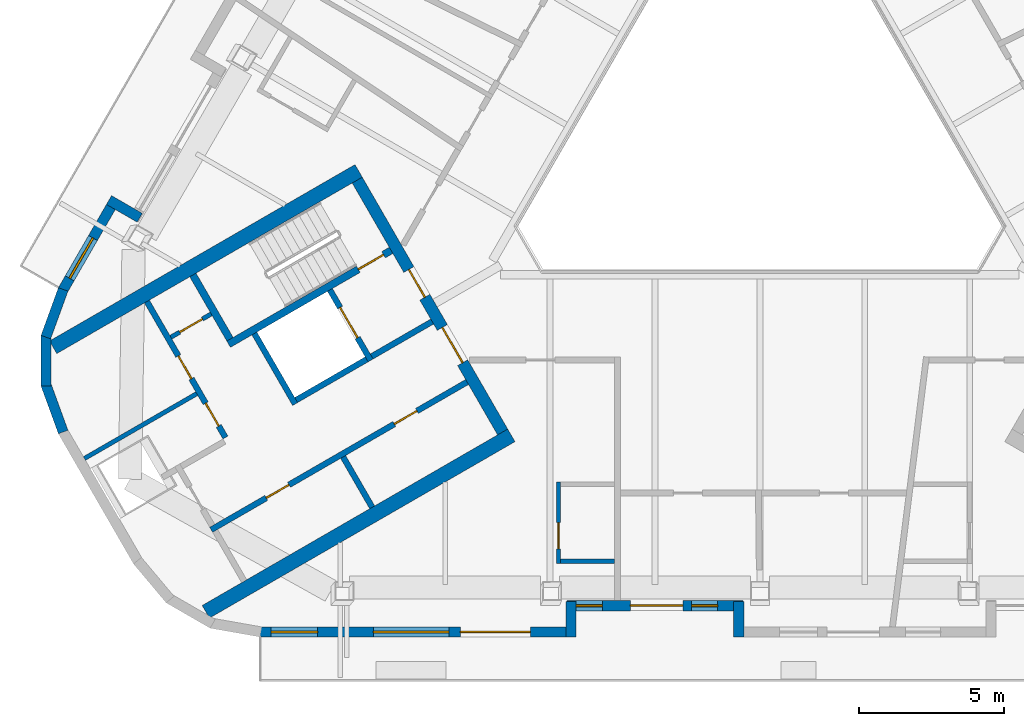
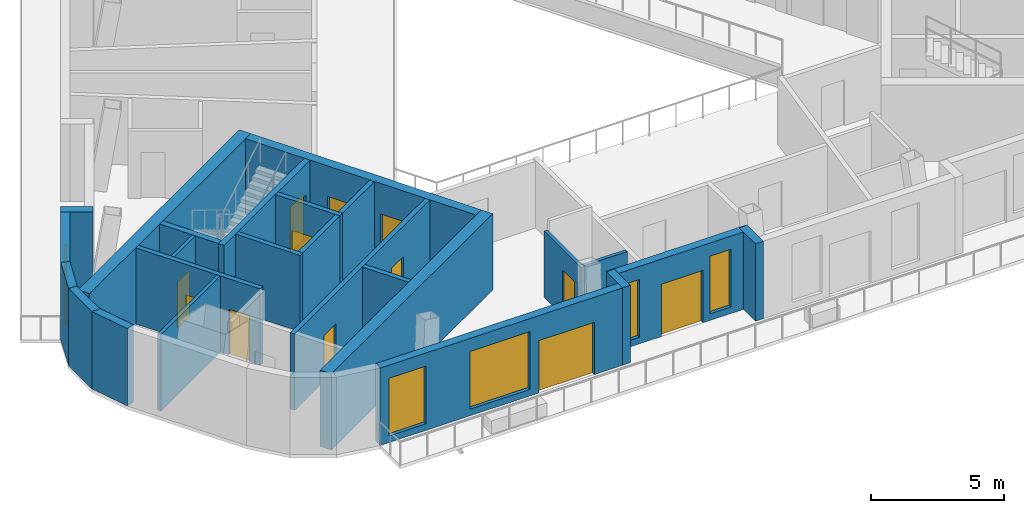
# One storey, part 3 of 13: 25 walls, 12 doors, 5 windows, 17 openings.
"""IFC4 building model written with IfcOpenShell, lengths in metres."""

import ifcopenshell
import ifcopenshell.guid

model = None  # the IFC model being written
_history = None  # IfcOwnerHistory: only IFC2X3 demands one
_inside = {}  # id of a spatial element -> (the spatial element, [elements in it])
_under = {}  # id of a project, library or spatial element -> (it, [spatial elements below it])
_declared = {}  # id of a project -> (the project, [libraries it declares])
_typed = {}  # id of a type object -> (the type object, [elements of that type])
_made_of = {}  # id of a material, layer set ... -> (it, [elements and type objects made of it])


def new_model(schema):
    """Start an empty IFC model of exactly this schema.

    Asked for "IFC4X3", IfcOpenShell would pick the latest addendum, in which some entities
    have other attributes; the version numbers below select the first issue.
    IFC2X3 requires an IfcOwnerHistory on every rooted entity: one is made here for all.
    """
    global model, _history
    if schema == "IFC4X3":
        model = ifcopenshell.file(schema_version=(4, 3, 0, 0))
    else:
        model = ifcopenshell.file(schema=schema)
    _inside.clear()
    _under.clear()
    _declared.clear()
    _typed.clear()
    _made_of.clear()
    _history = None
    if model.schema == "IFC2X3":
        org = make("IfcOrganization", Name="unknown")
        user = make(
            "IfcPersonAndOrganization",
            ThePerson=make("IfcPerson", FamilyName="unknown"),
            TheOrganization=org,
        )
        app = make(
            "IfcApplication",
            ApplicationDeveloper=org,
            Version="unknown",
            ApplicationFullName="unknown",
            ApplicationIdentifier="unknown",
        )
        _history = make(
            "IfcOwnerHistory",
            OwningUser=user,
            OwningApplication=app,
            ChangeAction="ADDED",
            CreationDate=0,
        )
    return model


def make(cls, **values):
    """One entity of the class cls with the attributes given. An attribute that is None is left unset."""
    return model.create_entity(
        cls, **{name: value for name, value in values.items() if value is not None}
    )


def rooted(cls, **values):
    """An entity with a GlobalId (a new one), such as an element, a storey or a relation."""
    return make(cls, GlobalId=ifcopenshell.guid.new(), OwnerHistory=_history, **values)


def si_unit(unit_type, name, prefix=None):
    """IfcSIUnit, for example si_unit("LENGTHUNIT", "METRE", prefix="MILLI")."""
    return make("IfcSIUnit", UnitType=unit_type, Prefix=prefix, Name=name)


def assignment(units):
    """IfcUnitAssignment: the units of a project."""
    return None if units is None else make("IfcUnitAssignment", Units=units)


def point(xyz):
    """IfcCartesianPoint."""
    return None if xyz is None else make("IfcCartesianPoint", Coordinates=xyz)


def direction(xyz):
    """IfcDirection."""
    return None if xyz is None else make("IfcDirection", DirectionRatios=xyz)


def frame(location, z_axis=None, x_axis=None):
    """IfcAxis2Placement3D, a coordinate frame: its origin and axes. An axis left out is left unset."""
    return make(
        "IfcAxis2Placement3D",
        Location=point(location),
        Axis=direction(z_axis),
        RefDirection=direction(x_axis),
    )


def frame_2d(location, x_axis=None):
    """IfcAxis2Placement2D, a coordinate frame in the plane: its origin and x axis."""
    return make(
        "IfcAxis2Placement2D", Location=point(location), RefDirection=direction(x_axis)
    )


def origin():
    """The frame at (0, 0, 0) with its axes left unset."""
    return frame((0.0, 0.0, 0.0))


def place(relative_to, where):
    """IfcLocalPlacement: puts the frame where relative to a parent placement (None: the world)."""
    return make(
        "IfcLocalPlacement", PlacementRelTo=relative_to, RelativePlacement=where
    )


def context(
    kind, dimensions, precision=None, world=None, true_north=None, identifier=None
):
    """IfcGeometricRepresentationContext, for example the 3D "Model" context."""
    return make(
        "IfcGeometricRepresentationContext",
        ContextIdentifier=identifier,
        ContextType=kind,
        CoordinateSpaceDimension=dimensions,
        Precision=precision,
        WorldCoordinateSystem=world,
        TrueNorth=true_north,
    )


def subcontext(parent, identifier, kind, view, scale=None):
    """IfcGeometricRepresentationSubContext, for example "Body" below "Model"."""
    return make(
        "IfcGeometricRepresentationSubContext",
        ContextIdentifier=identifier,
        ContextType=kind,
        ParentContext=parent,
        TargetScale=scale,
        TargetView=view,
    )


def project(units=None, contexts=None):
    """IfcProject with its units and contexts."""
    return rooted(
        "IfcProject",
        Name="project",
        RepresentationContexts=contexts,
        UnitsInContext=assignment(units),
    )


def spatial(cls, under=None, at=None, **own):
    """A site, building, storey or space (cls), placed at a placement, below another one or the project."""
    s = rooted(cls, ObjectPlacement=at, **own)
    if under is not None:
        _under.setdefault(under.id(), (under, []))[1].append(s)
    return s


def profile(cls, at=None, kind="AREA", **sizes):
    """A parametric profile (cls). Its sizes go by their IFC names, for example OverallWidth=200.0."""
    return make(cls, ProfileType=kind, Position=at, **sizes)


def rectangle(**sizes):
    """IfcRectangleProfileDef."""
    return profile("IfcRectangleProfileDef", **sizes)


def extrude(swept, where, along, depth):
    """IfcExtrudedAreaSolid: the profile swept, set in the frame where, extruded along a direction by depth."""
    return make(
        "IfcExtrudedAreaSolid",
        SweptArea=swept,
        Position=where,
        ExtrudedDirection=direction(along),
        Depth=depth,
    )


def shape(context_of_items, identifier, shape_type, items):
    """IfcShapeRepresentation: the items that make up one representation, for example the "Body"."""
    return make(
        "IfcShapeRepresentation",
        ContextOfItems=context_of_items,
        RepresentationIdentifier=identifier,
        RepresentationType=shape_type,
        Items=items,
    )


def material(Name=None, Category=None):
    """IfcMaterial."""
    return make("IfcMaterial", Name=Name, Category=Category)


def layer(
    of_material, thickness, ventilated=None, Name=None, Category=None, Priority=None
):
    """IfcMaterialLayer: one layer of a wall or slab, of a material (None: an air gap)."""
    return make(
        "IfcMaterialLayer",
        Material=of_material,
        LayerThickness=thickness,
        IsVentilated=ventilated,
        Name=Name,
        Category=Category,
        Priority=Priority,
    )


def layer_set(layers, Name=None):
    """IfcMaterialLayerSet."""
    return make("IfcMaterialLayerSet", MaterialLayers=layers, LayerSetName=Name)


def made_of(thing, what):
    """Note that an element or type object is made of a material, layer set ...; save() writes the relation."""
    if what is not None:
        _made_of.setdefault(what.id(), (what, []))[1].append(thing)
    return thing


def type_object(cls, material=None, **own):
    """A type object (cls), such as IfcWallType, which elements share."""
    return made_of(rooted(cls, **own), material)


def element(
    cls,
    number,
    at=None,
    inside=None,
    cuts=None,
    type_object=None,
    material=None,
    context=None,
    identifier="Body",
    shape_type=None,
    held_by="IfcProductDefinitionShape",
    body=None,
    shapes=None,
    **own,
):
    """One element of the class cls, such as IfcWall. Its Tag is "e" and its number.

    at: its placement. inside: the storey or other place that contains it. cuts: it is an
    opening in that element (IfcRelVoidsElement). A single representation is given by context,
    identifier, shape_type and body (its items); several are given by shapes. held_by: the class
    of the entity that holds the representations. save() writes the other relations.
    """
    e = rooted(cls, Tag="e%d" % number, ObjectPlacement=at, **own)
    if body is not None:
        shapes = [shape(context, identifier, shape_type, body)]
    if shapes is not None:
        e.Representation = make(held_by, Representations=shapes)
    if inside is not None:
        _inside.setdefault(inside.id(), (inside, []))[1].append(e)
    if cuts is not None:
        rooted(
            "IfcRelVoidsElement", RelatingBuildingElement=cuts, RelatedOpeningElement=e
        )
    if type_object is not None:
        _typed.setdefault(type_object.id(), (type_object, []))[1].append(e)
    return made_of(e, material)


def fill(opening, filler):
    """IfcRelFillsElement: the door or window that sits in an opening."""
    return rooted(
        "IfcRelFillsElement",
        RelatingOpeningElement=opening,
        RelatedBuildingElement=filler,
    )


def aggregate(whole, parts):
    """IfcRelAggregates: a whole, such as a stair, and the parts it consists of."""
    return rooted("IfcRelAggregates", RelatingObject=whole, RelatedObjects=parts)


def save(model, path):
    """Write the relations noted so far, then the file.

    IfcRelAggregates (storeys below a building ...), IfcRelContainedInSpatialStructure (elements
    in a storey), IfcRelDefinesByType, IfcRelAssociatesMaterial and IfcRelDeclares: one each for
    every whole, place, type object, material and project.
    """
    for whole, parts in _under.values():
        aggregate(whole, parts)
    for where, things in _inside.values():
        rooted(
            "IfcRelContainedInSpatialStructure",
            RelatedElements=things,
            RelatingStructure=where,
        )
    for kind, things in _typed.values():
        rooted("IfcRelDefinesByType", RelatedObjects=things, RelatingType=kind)
    for what, things in _made_of.values():
        rooted("IfcRelAssociatesMaterial", RelatedObjects=things, RelatingMaterial=what)
    for by, libraries in _declared.values():
        rooted("IfcRelDeclares", RelatingContext=by, RelatedDefinitions=libraries)
    model.write(path)


model = new_model("IFC4")

# Units and contexts
model_context = context("Model", 3, precision=1e-05, world=origin(), true_north=direction((0.0, 1.0)))
body_context = subcontext(model_context, "Body", "Model", "MODEL_VIEW")
ifc_project = project(units=[si_unit("LENGTHUNIT", "METRE"), si_unit("AREAUNIT", "SQUARE_METRE"), si_unit("VOLUMEUNIT", "CUBIC_METRE"), si_unit("PLANEANGLEUNIT", "RADIAN"), si_unit("MASSUNIT", "GRAM", prefix="KILO")], contexts=[model_context])

# Site, building, storey
site_placement = place(None, origin())
site = spatial("IfcSite", under=ifc_project, at=site_placement, CompositionType="ELEMENT")
building_placement = place(site_placement, origin())
building = spatial("IfcBuilding", under=site, at=building_placement, Name="Apuvela Tower Hotel", CompositionType="ELEMENT")
storey_placement = place(building_placement, frame((0.0, 0.0, 287.39990234375)))
storey = spatial("IfcBuildingStorey", under=building, at=storey_placement, Name="L71", CompositionType="ELEMENT", Elevation=287.39990234375)

# Wall, openings, doors
ifc_material_1 = material(Name="Concrete C50/60", Category="concrete")
ifc_layer_1 = layer(ifc_material_1, 0.39990234375)
ifc_layer_set_1 = layer_set([ifc_layer_1], Name="COR-WALL-CORE-400")
wall_type_1 = type_object("IfcWallType", Name="COR-WALL-CORE-400", PredefinedType="SHEAR", material=ifc_layer_set_1)
wall_1_placement = place(storey_placement, frame((-13.844970703125, -2.219970703125, 0.0), z_axis=(0.0, 0.0, 1.0), x_axis=(0.500004234368, -0.866022959057, 0.0)))
wall_1 = element("IfcWall", 1, at=wall_1_placement, inside=storey, type_object=wall_type_1, Name="Core wall SW", PredefinedType="SHEAR", context=body_context, shape_type="SweptSolid", body=[
    extrude(rectangle(XDim=10.0, YDim=0.39990234375, at=frame_2d((5.0, 0.0))), origin(), (0.0, 0.0, 1.0), 3.5),
])
opening_1_placement = place(wall_1_placement, frame((3.550048828125, 0.0, 0.0)))
opening_1 = element("IfcOpeningElement", 2, at=opening_1_placement, cuts=wall_1, Name="Opening W-FD", PredefinedType="OPENING", context=body_context, shape_type="SweptSolid", body=[
    extrude(rectangle(XDim=1.10009765625, YDim=2.10009765625, at=frame_2d((0.550048828125, 1.050048828125))), frame((0.0, 0.2099609375, 0.0), z_axis=(0.0, -1.0, 0.0), x_axis=(1.0, 0.0, 0.0)), (0.0, 0.0, 1.0), 0.419921875),
])
opening_2_placement = place(wall_1_placement, frame((5.85009765625, 0.0, 0.0)))
opening_2 = element("IfcOpeningElement", 3, at=opening_2_placement, cuts=wall_1, Name="Opening W-GD", PredefinedType="OPENING", context=body_context, shape_type="SweptSolid", body=[
    extrude(rectangle(XDim=1.39990234375, YDim=2.10009765625, at=frame_2d((0.699951171875, 1.050048828125))), frame((0.0, 0.2099609375, 0.0), z_axis=(0.0, -1.0, 0.0), x_axis=(1.0, 0.0, 0.0)), (0.0, 0.0, 1.0), 0.419921875),
])
ifc_material_2 = material(Name="Steel fire door, powder coated", Category="steel")
door_type_1 = type_object("IfcDoorType", Name="COR-FD-1100", OperationType="NOTDEFINED", PredefinedType="DOOR", material=ifc_material_2)
door_1_placement = place(opening_1_placement, frame((1.10009765625, 0.0, 0.0), z_axis=(0.0, 0.0, 1.0), x_axis=(-1.0, 0.0, 0.0)))
door_1 = element("IfcDoor", 4, at=door_1_placement, inside=storey, type_object=door_type_1, Name="Firefighting lobby door W-FD", OperationType="SINGLE_SWING_LEFT", OverallHeight=2.10009765625, OverallWidth=1.10009765625, PredefinedType="DOOR", context=body_context, shape_type="SweptSolid", body=[
    extrude(rectangle(XDim=1.10009765625, YDim=2.10009765625, at=frame_2d((0.550048828125, 1.050048828125))), frame((0.0, 0.02490234375, 0.0), z_axis=(0.0, -1.0, 0.0), x_axis=(1.0, 0.0, 0.0)), (0.0, 0.0, 1.0), 0.050048828125),
])
fill(opening_1, door_1)
ifc_material_3 = material(Name="Glazed steel fire door", Category="steel")
door_type_2 = type_object("IfcDoorType", Name="COR-GD-1400", OperationType="DOUBLE_DOOR_SINGLE_SWING", PredefinedType="DOOR", material=ifc_material_3)
door_2_placement = place(opening_2_placement, frame((1.39990234375, 0.0, 0.0), z_axis=(0.0, 0.0, 1.0), x_axis=(-1.0, 0.0, 0.0)))
door_2 = element("IfcDoor", 5, at=door_2_placement, inside=storey, type_object=door_type_2, Name="Lift lobby door W-GD", OperationType="DOUBLE_DOOR_SINGLE_SWING", OverallHeight=2.10009765625, OverallWidth=1.39990234375, PredefinedType="DOOR", context=body_context, shape_type="SweptSolid", body=[
    extrude(rectangle(XDim=1.39990234375, YDim=2.10009765625, at=frame_2d((0.699951171875, 1.050048828125))), frame((0.0, 0.02490234375, 0.0), z_axis=(0.0, -1.0, 0.0), x_axis=(1.0, 0.0, 0.0)), (0.0, 0.0, 1.0), 0.050048828125),
])
fill(opening_2, door_2)

# Walls
ifc_layer_2 = layer(ifc_material_1, 0.5)
ifc_layer_set_2 = layer_set([ifc_layer_2], Name="COR-WALL-CORE-500")
wall_type_2 = type_object("IfcWallType", Name="COR-WALL-CORE-500", PredefinedType="SHEAR", material=ifc_layer_set_2)
for number, where, z_axis, x_axis, name in (
    (6, (-13.796630859375, -1.9033203125, 0.0), (0.0, 0.0, 1.0), (-0.866024688907, -0.500001238203, 0.0), "Core wall SW"),
    (7, (-8.546630859375, -10.99658203125, 0.0), (0.0, 0.0, 1.0), (-0.866024688907, -0.500001238203, 0.0), "Core wall SW"),
):
    element("IfcWall", number, at=place(storey_placement, frame(where, z_axis=z_axis, x_axis=x_axis)), inside=storey, type_object=wall_type_2, Name=name, PredefinedType="SHEAR", context=body_context, shape_type="SweptSolid", body=[
        extrude(rectangle(XDim=12.12890625, YDim=0.5, at=frame_2d((6.064453125, 0.0))), origin(), (0.0, 0.0, 1.0), 3.5),
    ])

# Wall, opening, door
ifc_material_4 = material(Name="Blockwork 150 mm plastered", Category="masonry")
ifc_layer_3 = layer(ifc_material_4, 0.14990234375)
ifc_layer_set_3 = layer_set([ifc_layer_3], Name="COR-WALL-PART-150")
wall_type_3 = type_object("IfcWallType", Name="COR-WALL-PART-150", PredefinedType="PARTITIONING", material=ifc_layer_set_3)
wall_2_placement = place(storey_placement, frame((-18.866455078125, -6.822265625, 0.0), z_axis=(0.0, 0.0, 1.0), x_axis=(-0.866028054938, -0.499995408039, 0.0)))
wall_2 = element("IfcWall", 8, at=wall_2_placement, inside=storey, type_object=wall_type_3, Name="Partition SW", PredefinedType="PARTITIONING", context=body_context, shape_type="SweptSolid", body=[
    extrude(rectangle(XDim=1.60009765625, YDim=0.14990234375, at=frame_2d((0.800048828125, 0.0))), origin(), (0.0, 0.0, 1.0), 3.5),
])
opening_3_placement = place(wall_2_placement, frame((0.35009765625, 0.0, 0.0)))
opening_3 = element("IfcOpeningElement", 9, at=opening_3_placement, cuts=wall_2, Name="Opening W-RD", PredefinedType="OPENING", context=body_context, shape_type="SweptSolid", body=[
    extrude(rectangle(XDim=0.89990234375, YDim=2.10009765625, at=frame_2d((0.449951171875, 1.050048828125))), frame((0.0, 0.0849609375, 0.0), z_axis=(0.0, -1.0, 0.0), x_axis=(1.0, 0.0, 0.0)), (0.0, 0.0, 1.0), 0.169921875),
])
ifc_material_5 = material(Name="Steel access door, powder coated", Category="steel")
door_type_3 = type_object("IfcDoorType", Name="COR-RD-900", OperationType="NOTDEFINED", PredefinedType="DOOR", material=ifc_material_5)
door_3_placement = place(opening_3_placement, frame((0.89990234375, 0.0, 0.0), z_axis=(0.0, 0.0, 1.0), x_axis=(-1.0, 0.0, 0.0)))
door_3 = element("IfcDoor", 10, at=door_3_placement, inside=storey, type_object=door_type_3, Name="Riser door W-RD", OperationType="SINGLE_SWING_RIGHT", OverallHeight=2.10009765625, OverallWidth=0.89990234375, PredefinedType="DOOR", context=body_context, shape_type="SweptSolid", body=[
    extrude(rectangle(XDim=0.89990234375, YDim=2.10009765625, at=frame_2d((0.449951171875, 1.050048828125))), frame((0.0, 0.02490234375, 0.0), z_axis=(0.0, -1.0, 0.0), x_axis=(1.0, 0.0, 0.0)), (0.0, 0.0, 1.0), 0.050048828125),
])
fill(opening_3, door_3)

# Wall
wall_3_placement = place(storey_placement, frame((-19.36279296875, -9.5625, 0.0), z_axis=(0.0, 0.0, 1.0), x_axis=(-0.866024199568, -0.500002085759, 0.0)))
element("IfcWall", 11, at=wall_3_placement, inside=storey, type_object=wall_type_3, Name="Partition SW", PredefinedType="PARTITIONING", context=body_context, shape_type="SweptSolid", body=[
    extrude(rectangle(XDim=4.458984375, YDim=0.14990234375, at=frame_2d((2.2294921875, 0.0))), origin(), (0.0, 0.0, 1.0), 3.5),
])

# Wall, openings, doors
ifc_material_6 = material(Name="Blockwork 200 mm plastered", Category="masonry")
ifc_layer_4 = layer(ifc_material_6, 0.199951171875)
ifc_layer_set_4 = layer_set([ifc_layer_4], Name="COR-WALL-PART-200")
wall_type_4 = type_object("IfcWallType", Name="COR-WALL-PART-200", PredefinedType="PARTITIONING", material=ifc_layer_set_4)
wall_4_placement = place(storey_placement, frame((-21.076171875, -6.39501953125, 0.0), z_axis=(0.0, 0.0, 1.0), x_axis=(0.50001468107, -0.866016927499, 0.0)))
wall_4 = element("IfcWall", 12, at=wall_4_placement, inside=storey, type_object=wall_type_4, Name="Partition SW", PredefinedType="PARTITIONING", context=body_context, shape_type="SweptSolid", body=[
    extrude(rectangle(XDim=5.399658203125, YDim=0.199951171875, at=frame_2d((2.69970703125, 0.0))), origin(), (0.0, 0.0, 1.0), 3.5),
])
opening_4_placement = place(wall_4_placement, frame((2.16259765625, 0.0, 0.0)))
opening_4 = element("IfcOpeningElement", 13, at=opening_4_placement, cuts=wall_4, Name="Opening W-RS1", PredefinedType="OPENING", context=body_context, shape_type="SweptSolid", body=[
    extrude(rectangle(XDim=0.89990234375, YDim=2.10009765625, at=frame_2d((0.449951171875, 1.050048828125))), frame((0.0, 0.10986328125, 0.0), z_axis=(0.0, -1.0, 0.0), x_axis=(1.0, 0.0, 0.0)), (0.0, 0.0, 1.0), 0.219970703125),
])
opening_5_placement = place(wall_4_placement, frame((4.03759765625, 0.0, 0.0)))
opening_5 = element("IfcOpeningElement", 14, at=opening_5_placement, cuts=wall_4, Name="Opening W-RS2", PredefinedType="OPENING", context=body_context, shape_type="SweptSolid", body=[
    extrude(rectangle(XDim=0.89990234375, YDim=2.10009765625, at=frame_2d((0.449951171875, 1.050048828125))), frame((0.0, 0.10986328125, 0.0), z_axis=(0.0, -1.0, 0.0), x_axis=(1.0, 0.0, 0.0)), (0.0, 0.0, 1.0), 0.219970703125),
])
door_type_4 = type_object("IfcDoorType", Name="COR-DR-900", OperationType="NOTDEFINED", PredefinedType="DOOR", material=ifc_material_2)
door_4_placement = place(opening_4_placement, frame((0.89990234375, 0.0, 0.0), z_axis=(0.0, 0.0, 1.0), x_axis=(-1.0, 0.0, 0.0)))
door_4 = element("IfcDoor", 15, at=door_4_placement, inside=storey, type_object=door_type_4, Name="Store door W-RS1", OperationType="SINGLE_SWING_LEFT", OverallHeight=2.10009765625, OverallWidth=0.89990234375, PredefinedType="DOOR", context=body_context, shape_type="SweptSolid", body=[
    extrude(rectangle(XDim=0.89990234375, YDim=2.10009765625, at=frame_2d((0.449951171875, 1.050048828125))), frame((0.0, 0.02490234375, 0.0), z_axis=(0.0, -1.0, 0.0), x_axis=(1.0, 0.0, 0.0)), (0.0, 0.0, 1.0), 0.050048828125),
])
fill(opening_4, door_4)
door_5_placement = place(opening_5_placement, frame((0.89990234375, 0.0, 0.0), z_axis=(0.0, 0.0, 1.0), x_axis=(-1.0, 0.0, 0.0)))
door_5 = element("IfcDoor", 16, at=door_5_placement, inside=storey, type_object=door_type_4, Name="Store door W-RS2", OperationType="SINGLE_SWING_LEFT", OverallHeight=2.10009765625, OverallWidth=0.89990234375, PredefinedType="DOOR", context=body_context, shape_type="SweptSolid", body=[
    extrude(rectangle(XDim=0.89990234375, YDim=2.10009765625, at=frame_2d((0.449951171875, 1.050048828125))), frame((0.0, 0.02490234375, 0.0), z_axis=(0.0, -1.0, 0.0), x_axis=(1.0, 0.0, 0.0)), (0.0, 0.0, 1.0), 0.050048828125),
])
fill(opening_5, door_5)

# Wall
ifc_layer_5 = layer(ifc_material_1, 0.199951171875)
ifc_layer_set_5 = layer_set([ifc_layer_5], Name="COR-WALL-SHAFT-200")
wall_type_5 = type_object("IfcWallType", Name="COR-WALL-SHAFT-200", PredefinedType="SHEAR", material=ifc_layer_set_5)
wall_5_placement = place(storey_placement, frame((-17.38134765625, -7.49462890625, 0.0), z_axis=(0.0, 0.0, 1.0), x_axis=(0.500011755427, -0.866018616679, 0.0)))
element("IfcWall", 17, at=wall_5_placement, inside=storey, type_object=wall_type_5, Name="Shaft wall SW", PredefinedType="SHEAR", context=body_context, shape_type="SweptSolid", body=[
    extrude(rectangle(XDim=2.80029296875, YDim=0.199951171875, at=frame_2d((1.400146484375, 0.0))), origin(), (0.0, 0.0, 1.0), 3.5),
])

# Wall, opening, door
wall_6_placement = place(storey_placement, frame((-14.783203125, -5.99462890625, 0.0), z_axis=(0.0, 0.0, 1.0), x_axis=(0.49994636267, -0.866056369097, 0.0)))
wall_6 = element("IfcWall", 18, at=wall_6_placement, inside=storey, type_object=wall_type_5, Name="Shaft wall SW", PredefinedType="SHEAR", context=body_context, shape_type="SweptSolid", body=[
    extrude(rectangle(XDim=2.800048828125, YDim=0.199951171875, at=frame_2d((1.39990234375, 0.0))), origin(), (0.0, 0.0, 1.0), 3.5),
])
opening_6_placement = place(wall_6_placement, frame((0.699951171875, 0.0, 0.0)))
opening_6 = element("IfcOpeningElement", 19, at=opening_6_placement, cuts=wall_6, Name="Opening W-LD-FS2", PredefinedType="OPENING", context=body_context, shape_type="SweptSolid", body=[
    extrude(rectangle(XDim=1.199951171875, YDim=2.10009765625, at=frame_2d((0.60009765625, 1.050048828125))), frame((0.0, 0.10986328125, 0.0), z_axis=(0.0, -1.0, 0.0), x_axis=(1.0, 0.0, 0.0)), (0.0, 0.0, 1.0), 0.219970703125),
])
ifc_material_7 = material(Name="Stainless steel lift landing door", Category="steel")
door_type_5 = type_object("IfcDoorType", Name="COR-LD-1200", OperationType="DOUBLE_DOOR_SLIDING", PredefinedType="DOOR", material=ifc_material_7)
door_6_placement = place(opening_6_placement, origin())
door_6 = element("IfcDoor", 20, at=door_6_placement, inside=storey, type_object=door_type_5, Name="Lift landing door W-LD-FS2", OperationType="DOUBLE_DOOR_SLIDING", OverallHeight=2.10009765625, OverallWidth=1.199951171875, PredefinedType="DOOR", context=body_context, shape_type="SweptSolid", body=[
    extrude(rectangle(XDim=1.199951171875, YDim=2.10009765625, at=frame_2d((0.60009765625, 1.050048828125))), frame((0.0, 0.02490234375, 0.0), z_axis=(0.0, -1.0, 0.0), x_axis=(1.0, 0.0, 0.0)), (0.0, 0.0, 1.0), 0.050048828125),
])
fill(opening_6, door_6)

# Walls
wall_7_placement = place(storey_placement, frame((-13.519775390625, -8.383056640625, 0.0), z_axis=(0.0, 0.0, 1.0), x_axis=(-0.866034573852, -0.49998411664, 0.0)))
element("IfcWall", 21, at=wall_7_placement, inside=storey, type_object=wall_type_5, Name="Shaft wall SW", PredefinedType="SHEAR", context=body_context, shape_type="SweptSolid", body=[
    extrude(rectangle(XDim=2.7998046875, YDim=0.199951171875, at=frame_2d((1.39990234375, 0.0))), origin(), (0.0, 0.0, 1.0), 3.5),
])
wall_8_placement = place(storey_placement, frame((-11.26806640625, -7.0830078125, 0.0), z_axis=(0.0, 0.0, 1.0), x_axis=(-0.866050077142, -0.499957262057, 0.0)))
element("IfcWall", 22, at=wall_8_placement, inside=storey, type_object=wall_type_5, Name="Shaft wall SW", PredefinedType="SHEAR", context=body_context, shape_type="SweptSolid", body=[
    extrude(rectangle(XDim=2.400146484375, YDim=0.199951171875, at=frame_2d((1.2001953125, 0.0))), origin(), (0.0, 0.0, 1.0), 3.5),
])

# Wall, openings, doors
wall_9_placement = place(storey_placement, frame((-10.068115234375, -9.16162109375, 0.0), z_axis=(0.0, 0.0, 1.0), x_axis=(-0.866032725843, -0.499987317609, 0.0)))
wall_9 = element("IfcWall", 23, at=wall_9_placement, inside=storey, type_object=wall_type_5, Name="Shaft wall SW", PredefinedType="SHEAR", context=body_context, shape_type="SweptSolid", body=[
    extrude(rectangle(XDim=10.159912109375, YDim=0.199951171875, at=frame_2d((5.080078125, 0.0))), origin(), (0.0, 0.0, 1.0), 3.5),
])
opening_7_placement = place(wall_9_placement, frame((1.989990234375, 0.0, 0.0)))
opening_7 = element("IfcOpeningElement", 24, at=opening_7_placement, cuts=wall_9, Name="Opening W-RE1", PredefinedType="OPENING", context=body_context, shape_type="SweptSolid", body=[
    extrude(rectangle(XDim=0.89990234375, YDim=2.10009765625, at=frame_2d((0.449951171875, 1.050048828125))), frame((0.0, 0.10986328125, 0.0), z_axis=(0.0, -1.0, 0.0), x_axis=(1.0, 0.0, 0.0)), (0.0, 0.0, 1.0), 0.219970703125),
])
opening_8_placement = place(wall_9_placement, frame((7.070068359375, 0.0, 0.0)))
opening_8 = element("IfcOpeningElement", 25, at=opening_8_placement, cuts=wall_9, Name="Opening W-RE3", PredefinedType="OPENING", context=body_context, shape_type="SweptSolid", body=[
    extrude(rectangle(XDim=0.89990234375, YDim=2.10009765625, at=frame_2d((0.449951171875, 1.050048828125))), frame((0.0, 0.10986328125, 0.0), z_axis=(0.0, -1.0, 0.0), x_axis=(1.0, 0.0, 0.0)), (0.0, 0.0, 1.0), 0.219970703125),
])
door_7_placement = place(opening_7_placement, origin())
door_7 = element("IfcDoor", 26, at=door_7_placement, inside=storey, type_object=door_type_4, Name="Store door W-RE1", OperationType="SINGLE_SWING_LEFT", OverallHeight=2.10009765625, OverallWidth=0.89990234375, PredefinedType="DOOR", context=body_context, shape_type="SweptSolid", body=[
    extrude(rectangle(XDim=0.89990234375, YDim=2.10009765625, at=frame_2d((0.449951171875, 1.050048828125))), frame((0.0, 0.02490234375, 0.0), z_axis=(0.0, -1.0, 0.0), x_axis=(1.0, 0.0, 0.0)), (0.0, 0.0, 1.0), 0.050048828125),
])
fill(opening_7, door_7)
door_8_placement = place(opening_8_placement, origin())
door_8 = element("IfcDoor", 27, at=door_8_placement, inside=storey, type_object=door_type_4, Name="Store door W-RE3", OperationType="SINGLE_SWING_LEFT", OverallHeight=2.10009765625, OverallWidth=0.89990234375, PredefinedType="DOOR", context=body_context, shape_type="SweptSolid", body=[
    extrude(rectangle(XDim=0.89990234375, YDim=2.10009765625, at=frame_2d((0.449951171875, 1.050048828125))), frame((0.0, 0.02490234375, 0.0), z_axis=(0.0, -1.0, 0.0), x_axis=(1.0, 0.0, 0.0)), (0.0, 0.0, 1.0), 0.050048828125),
])
fill(opening_8, door_8)

# Wall
wall_10_placement = place(storey_placement, frame((-14.330810546875, -11.738037109375, 0.0), z_axis=(0.0, 0.0, 1.0), x_axis=(0.499972520799, -0.866041268327, 0.0)))
element("IfcWall", 28, at=wall_10_placement, inside=storey, type_object=wall_type_5, Name="Shaft wall SW", PredefinedType="SHEAR", context=body_context, shape_type="SweptSolid", body=[
    extrude(rectangle(XDim=2.0, YDim=0.199951171875, at=frame_2d((1.0, 0.0))), origin(), (0.0, 0.0, 1.0), 3.5),
])

# Wall, opening, door
ifc_layer_6 = layer(ifc_material_1, 0.25)
ifc_layer_set_6 = layer_set([ifc_layer_6], Name="COR-WALL-STAIR-250")
wall_type_6 = type_object("IfcWallType", Name="COR-WALL-STAIR-250", PredefinedType="SHEAR", material=ifc_layer_set_6)
wall_11_placement = place(storey_placement, frame((-12.6806640625, -4.636474609375, 0.0), z_axis=(0.0, 0.0, 1.0), x_axis=(-0.866021702275, -0.500006411147, 0.0)))
wall_11 = element("IfcWall", 29, at=wall_11_placement, inside=storey, type_object=wall_type_6, Name="Stair wall SW", PredefinedType="SHEAR", context=body_context, shape_type="SweptSolid", body=[
    extrude(rectangle(XDim=6.4501953125, YDim=0.25, at=frame_2d((3.22509765625, 0.0))), origin(), (0.0, 0.0, 1.0), 3.5),
])
opening_9_placement = place(wall_11_placement, frame((0.300048828125, 0.0, 0.0)))
opening_9 = element("IfcOpeningElement", 30, at=opening_9_placement, cuts=wall_11, Name="Opening W-SD", PredefinedType="OPENING", context=body_context, shape_type="SweptSolid", body=[
    extrude(rectangle(XDim=1.0, YDim=2.10009765625, at=frame_2d((0.5, 1.050048828125))), frame((0.0, 0.135009765625, 0.0), z_axis=(0.0, -1.0, 0.0), x_axis=(1.0, 0.0, 0.0)), (0.0, 0.0, 1.0), 0.27001953125),
])
door_type_6 = type_object("IfcDoorType", Name="COR-SD-1000", OperationType="NOTDEFINED", PredefinedType="DOOR", material=ifc_material_2)
door_9_placement = place(opening_9_placement, frame((1.0, 0.0, 0.0), z_axis=(0.0, 0.0, 1.0), x_axis=(-1.0, 0.0, 0.0)))
door_9 = element("IfcDoor", 31, at=door_9_placement, inside=storey, type_object=door_type_6, Name="Stair door W-SD", OperationType="SINGLE_SWING_LEFT", OverallHeight=2.10009765625, OverallWidth=1.0, PredefinedType="DOOR", context=body_context, shape_type="SweptSolid", body=[
    extrude(rectangle(XDim=1.0, YDim=2.10009765625, at=frame_2d((0.5, 1.050048828125))), frame((0.0, 0.02490234375, 0.0), z_axis=(0.0, -1.0, 0.0), x_axis=(1.0, 0.0, 0.0)), (0.0, 0.0, 1.0), 0.050048828125),
])
fill(opening_9, door_9)

# Walls
wall_12_placement = place(storey_placement, frame((-19.49560546875, -5.482421875, 0.0), z_axis=(0.0, 0.0, 1.0), x_axis=(0.499990435942, -0.866030925526, 0.0)))
element("IfcWall", 32, at=wall_12_placement, inside=storey, type_object=wall_type_6, Name="Stair wall SW", PredefinedType="SHEAR", context=body_context, shape_type="SweptSolid", body=[
    extrude(rectangle(XDim=2.5498046875, YDim=0.25, at=frame_2d((1.27490234375, 0.0))), origin(), (0.0, 0.0, 1.0), 3.5),
])
ifc_material_8 = material(Name="Concrete C40/50, dark pigmented precast panel", Category="concrete")
ifc_layer_7 = layer(ifc_material_8, 0.35009765625)
ifc_layer_set_7 = layer_set([ifc_layer_7], Name="ENV-WALL-350")
wall_type_7 = type_object("IfcWallType", Name="ENV-WALL-350", PredefinedType="SOLIDWALL", material=ifc_layer_set_7)
wall_13_placement = place(storey_placement, frame((-21.322998046875, -3.514892578125, 0.0), z_axis=(0.0, 0.0, 1.0), x_axis=(-0.866092288191, 0.499884134912, 0.0)))
element("IfcWall", 33, at=wall_13_placement, inside=storey, type_object=wall_type_7, Name="External wall L71-08", PredefinedType="SOLIDWALL", context=body_context, shape_type="SweptSolid", body=[
    extrude(rectangle(XDim=1.219970703125, YDim=0.35009765625, at=frame_2d((0.60986328125, 0.0))), origin(), (0.0, 0.0, 1.0), 3.550048828125),
])

# Wall, opening, window
wall_14_placement = place(storey_placement, frame((-22.140380859375, -2.841064453125, 0.0), z_axis=(0.0, 0.0, 1.0), x_axis=(-0.500040506767, -0.866002015928, 0.0)))
wall_14 = element("IfcWall", 34, at=wall_14_placement, inside=storey, type_object=wall_type_7, Name="External wall L71-09", PredefinedType="SOLIDWALL", context=body_context, shape_type="SweptSolid", body=[
    extrude(rectangle(XDim=3.654541015625, YDim=0.35009765625, at=frame_2d((1.8271484375, 0.0))), origin(), (0.0, 0.0, 1.0), 3.550048828125),
])
opening_10_placement = place(wall_14_placement, frame((1.58154296875, 0.0, 0.300048828125)))
opening_10 = element("IfcOpeningElement", 35, at=opening_10_placement, cuts=wall_14, Name="Opening WN16", PredefinedType="OPENING", context=body_context, shape_type="SweptSolid", body=[
    extrude(rectangle(XDim=1.60009765625, YDim=2.64990234375, at=frame_2d((0.800048828125, 1.324951171875))), frame((0.0, 0.18505859375, 0.0), z_axis=(0.0, -1.0, 0.0), x_axis=(1.0, 0.0, 0.0)), (0.0, 0.0, 1.0), 0.3701171875),
])
ifc_material_9 = material(Name="Glass, dark tinted laminated insulated glazing unit", Category="glass")
window_type_1 = type_object("IfcWindowType", Name="ENV-WIN-1600x2650", PartitioningType="SINGLE_PANEL", PredefinedType="WINDOW", material=ifc_material_9)
window_1_placement = place(opening_10_placement, origin())
window_1 = element("IfcWindow", 36, at=window_1_placement, inside=storey, type_object=window_type_1, Name="Window WN16", OverallHeight=2.64990234375, OverallWidth=1.60009765625, PartitioningType="SINGLE_PANEL", PredefinedType="WINDOW", context=body_context, shape_type="SweptSolid", body=[
    extrude(rectangle(XDim=1.60009765625, YDim=2.64990234375, at=frame_2d((0.800048828125, 1.324951171875))), frame((0.0, 0.030029296875, 0.0), z_axis=(0.0, -1.0, 0.0), x_axis=(1.0, 0.0, 0.0)), (0.0, 0.0, 1.0), 0.06005859375),
])
fill(opening_10, window_1)

# Walls
for number, where, z_axis, x_axis, name in (
    (37, (-23.954833984375, -5.978271484375, 0.0), (0.0, 0.0, 1.0), (-0.34201271391, -0.939695324839, 0.0), "External wall L71-10"),
    (38, (-24.541015625, -7.557861328125, 0.0), (0.0, 0.0, 1.0), (0.0, -1.0, 0.0), "External wall L71-11"),
    (39, (-24.551513671875, -9.242431640625, 0.0), (0.0, 0.0, 1.0), (0.34201271391, -0.939695324839, 0.0), "External wall L71-12"),
):
    element("IfcWall", number, at=place(storey_placement, frame(where, z_axis=z_axis, x_axis=x_axis)), inside=storey, type_object=wall_type_7, Name=name, PredefinedType="SOLIDWALL", context=body_context, shape_type="SweptSolid", body=[
        extrude(rectangle(XDim=1.74462890625, YDim=0.35009765625, at=frame_2d((0.872314453125, 0.0))), origin(), (0.0, 0.0, 1.0), 3.550048828125),
    ])

# Wall, openings, door, windows
wall_15_placement = place(storey_placement, frame((-17.18505859375, -17.753662109375, 0.0), z_axis=(0.0, 0.0, 1.0), x_axis=(1.0, 0.0, 0.0)))
wall_15 = element("IfcWall", 40, at=wall_15_placement, inside=storey, type_object=wall_type_7, Name="External wall L71-17", PredefinedType="SOLIDWALL", context=body_context, shape_type="SweptSolid", body=[
    extrude(rectangle(XDim=10.869873046875, YDim=0.35009765625, at=frame_2d((5.43505859375, 0.0))), origin(), (0.0, 0.0, 1.0), 3.550048828125),
])
opening_11_placement = place(wall_15_placement, frame((0.380859375, 0.0, 0.300048828125)))
opening_11 = element("IfcOpeningElement", 41, at=opening_11_placement, cuts=wall_15, Name="Opening WN16", PredefinedType="OPENING", context=body_context, shape_type="SweptSolid", body=[
    extrude(rectangle(XDim=1.60009765625, YDim=2.64990234375, at=frame_2d((0.800048828125, 1.324951171875))), frame((0.0, 0.18505859375, 0.0), z_axis=(0.0, -1.0, 0.0), x_axis=(1.0, 0.0, 0.0)), (0.0, 0.0, 1.0), 0.3701171875),
])
opening_12_placement = place(wall_15_placement, frame((6.89013671875, 0.0, 0.0)))
opening_12 = element("IfcOpeningElement", 42, at=opening_12_placement, cuts=wall_15, Name="Opening BD24", PredefinedType="OPENING", context=body_context, shape_type="SweptSolid", body=[
    extrude(rectangle(XDim=2.39990234375, YDim=2.39990234375, at=frame_2d((1.199951171875, 1.199951171875))), frame((0.0, 0.18505859375, 0.0), z_axis=(0.0, -1.0, 0.0), x_axis=(1.0, 0.0, 0.0)), (0.0, 0.0, 1.0), 0.3701171875),
])
opening_13_placement = place(wall_15_placement, frame((3.892578125, 0.0, 0.300048828125)))
opening_13 = element("IfcOpeningElement", 43, at=opening_13_placement, cuts=wall_15, Name="Opening WN26", PredefinedType="OPENING", context=body_context, shape_type="SweptSolid", body=[
    extrude(rectangle(XDim=2.60009765625, YDim=2.64990234375, at=frame_2d((1.300048828125, 1.324951171875))), frame((0.0, 0.18505859375, 0.0), z_axis=(0.0, -1.0, 0.0), x_axis=(1.0, 0.0, 0.0)), (0.0, 0.0, 1.0), 0.3701171875),
])
ifc_material_10 = material(Name="Aluminium 6063-T6, dark bronze anodised frame with dark tinted laminated glass", Category="aluminium")
door_type_7 = type_object("IfcDoorType", Name="ENV-DOOR-BALCONY-2400x2400", OperationType="SLIDING_TO_LEFT", PredefinedType="DOOR", material=ifc_material_10)
door_10_placement = place(opening_12_placement, frame((2.39990234375, 0.0, 0.0), z_axis=(0.0, 0.0, 1.0), x_axis=(-1.0, 0.0, 0.0)))
door_10 = element("IfcDoor", 44, at=door_10_placement, inside=storey, type_object=door_type_7, Name="Balcony door BD24", OperationType="SLIDING_TO_LEFT", OverallHeight=2.39990234375, OverallWidth=2.39990234375, PredefinedType="DOOR", context=body_context, shape_type="SweptSolid", body=[
    extrude(rectangle(XDim=2.39990234375, YDim=2.39990234375, at=frame_2d((1.199951171875, 1.199951171875))), frame((0.0, 0.02490234375, 0.0), z_axis=(0.0, -1.0, 0.0), x_axis=(1.0, 0.0, 0.0)), (0.0, 0.0, 1.0), 0.050048828125),
])
fill(opening_12, door_10)
window_2_placement = place(opening_11_placement, origin())
window_2 = element("IfcWindow", 45, at=window_2_placement, inside=storey, type_object=window_type_1, Name="Window WN16", OverallHeight=2.64990234375, OverallWidth=1.60009765625, PartitioningType="SINGLE_PANEL", PredefinedType="WINDOW", context=body_context, shape_type="SweptSolid", body=[
    extrude(rectangle(XDim=1.60009765625, YDim=2.64990234375, at=frame_2d((0.800048828125, 1.324951171875))), frame((0.0, 0.030029296875, 0.0), z_axis=(0.0, -1.0, 0.0), x_axis=(1.0, 0.0, 0.0)), (0.0, 0.0, 1.0), 0.06005859375),
])
fill(opening_11, window_2)
window_type_2 = type_object("IfcWindowType", Name="ENV-WIN-2600x2650", PartitioningType="SINGLE_PANEL", PredefinedType="WINDOW", material=ifc_material_9)
window_3_placement = place(opening_13_placement, origin())
window_3 = element("IfcWindow", 46, at=window_3_placement, inside=storey, type_object=window_type_2, Name="Window WN26", OverallHeight=2.64990234375, OverallWidth=2.60009765625, PartitioningType="SINGLE_PANEL", PredefinedType="WINDOW", context=body_context, shape_type="SweptSolid", body=[
    extrude(rectangle(XDim=2.60009765625, YDim=2.64990234375, at=frame_2d((1.300048828125, 1.324951171875))), frame((0.0, 0.030029296875, 0.0), z_axis=(0.0, -1.0, 0.0), x_axis=(1.0, 0.0, 0.0)), (0.0, 0.0, 1.0), 0.06005859375),
])
fill(opening_13, window_3)

# Wall
wall_16_placement = place(storey_placement, frame((-6.490234375, -17.9287109375, 0.0), z_axis=(0.0, 0.0, 1.0), x_axis=(0.0, 1.0, 0.0)))
element("IfcWall", 47, at=wall_16_placement, inside=storey, type_object=wall_type_7, Name="External wall L71-18", PredefinedType="SOLIDWALL", context=body_context, shape_type="SweptSolid", body=[
    extrude(rectangle(XDim=1.219970703125, YDim=0.35009765625, at=frame_2d((0.60986328125, 0.0))), origin(), (0.0, 0.0, 1.0), 3.550048828125),
])

# Wall, openings, door, windows
wall_17_placement = place(storey_placement, frame((-6.63525390625, -16.853759765625, 0.0), z_axis=(0.0, 0.0, 1.0), x_axis=(1.0, 0.0, 0.0)))
wall_17 = element("IfcWall", 48, at=wall_17_placement, inside=storey, type_object=wall_type_7, Name="External wall L71-19", PredefinedType="SOLIDWALL", context=body_context, shape_type="SweptSolid", body=[
    extrude(rectangle(XDim=6.05517578125, YDim=0.35009765625, at=frame_2d((3.027587890625, 0.0))), origin(), (0.0, 0.0, 1.0), 3.550048828125),
])
opening_14_placement = place(wall_17_placement, frame((0.3203125, 0.0, 0.300048828125)))
opening_14 = element("IfcOpeningElement", 49, at=opening_14_placement, cuts=wall_17, Name="Opening WN09", PredefinedType="OPENING", context=body_context, shape_type="SweptSolid", body=[
    extrude(rectangle(XDim=0.89990234375, YDim=2.64990234375, at=frame_2d((0.449951171875, 1.324951171875))), frame((0.0, 0.18505859375, 0.0), z_axis=(0.0, -1.0, 0.0), x_axis=(1.0, 0.0, 0.0)), (0.0, 0.0, 1.0), 0.3701171875),
])
opening_15_placement = place(wall_17_placement, frame((2.185546875, 0.0, 0.0)))
opening_15 = element("IfcOpeningElement", 50, at=opening_15_placement, cuts=wall_17, Name="Opening BD18", PredefinedType="OPENING", context=body_context, shape_type="SweptSolid", body=[
    extrude(rectangle(XDim=1.800048828125, YDim=2.39990234375, at=frame_2d((0.89990234375, 1.199951171875))), frame((0.0, 0.18505859375, 0.0), z_axis=(0.0, -1.0, 0.0), x_axis=(1.0, 0.0, 0.0)), (0.0, 0.0, 1.0), 0.3701171875),
])
opening_16_placement = place(wall_17_placement, frame((4.285400390625, 0.0, 0.300048828125)))
opening_16 = element("IfcOpeningElement", 51, at=opening_16_placement, cuts=wall_17, Name="Opening WN09", PredefinedType="OPENING", context=body_context, shape_type="SweptSolid", body=[
    extrude(rectangle(XDim=0.89990234375, YDim=2.64990234375, at=frame_2d((0.449951171875, 1.324951171875))), frame((0.0, 0.18505859375, 0.0), z_axis=(0.0, -1.0, 0.0), x_axis=(1.0, 0.0, 0.0)), (0.0, 0.0, 1.0), 0.3701171875),
])
door_type_8 = type_object("IfcDoorType", Name="ENV-DOOR-BALCONY-1800x2400", OperationType="SLIDING_TO_LEFT", PredefinedType="DOOR", material=ifc_material_10)
door_11_placement = place(opening_15_placement, frame((1.800048828125, 0.0, 0.0), z_axis=(0.0, 0.0, 1.0), x_axis=(-1.0, 0.0, 0.0)))
door_11 = element("IfcDoor", 52, at=door_11_placement, inside=storey, type_object=door_type_8, Name="Balcony door BD18", OperationType="SLIDING_TO_LEFT", OverallHeight=2.39990234375, OverallWidth=1.800048828125, PredefinedType="DOOR", context=body_context, shape_type="SweptSolid", body=[
    extrude(rectangle(XDim=1.800048828125, YDim=2.39990234375, at=frame_2d((0.89990234375, 1.199951171875))), frame((0.0, 0.02490234375, 0.0), z_axis=(0.0, -1.0, 0.0), x_axis=(1.0, 0.0, 0.0)), (0.0, 0.0, 1.0), 0.050048828125),
])
fill(opening_15, door_11)
window_type_3 = type_object("IfcWindowType", Name="ENV-WIN-900x2650", PartitioningType="SINGLE_PANEL", PredefinedType="WINDOW", material=ifc_material_9)
window_4_placement = place(opening_14_placement, origin())
window_4 = element("IfcWindow", 53, at=window_4_placement, inside=storey, type_object=window_type_3, Name="Window WN09", OverallHeight=2.64990234375, OverallWidth=0.89990234375, PartitioningType="SINGLE_PANEL", PredefinedType="WINDOW", context=body_context, shape_type="SweptSolid", body=[
    extrude(rectangle(XDim=0.89990234375, YDim=2.64990234375, at=frame_2d((0.449951171875, 1.324951171875))), frame((0.0, 0.030029296875, 0.0), z_axis=(0.0, -1.0, 0.0), x_axis=(1.0, 0.0, 0.0)), (0.0, 0.0, 1.0), 0.06005859375),
])
fill(opening_14, window_4)
window_5_placement = place(opening_16_placement, origin())
window_5 = element("IfcWindow", 54, at=window_5_placement, inside=storey, type_object=window_type_3, Name="Window WN09", OverallHeight=2.64990234375, OverallWidth=0.89990234375, PartitioningType="SINGLE_PANEL", PredefinedType="WINDOW", context=body_context, shape_type="SweptSolid", body=[
    extrude(rectangle(XDim=0.89990234375, YDim=2.64990234375, at=frame_2d((0.449951171875, 1.324951171875))), frame((0.0, 0.030029296875, 0.0), z_axis=(0.0, -1.0, 0.0), x_axis=(1.0, 0.0, 0.0)), (0.0, 0.0, 1.0), 0.06005859375),
])
fill(opening_16, window_5)

# Wall
wall_18_placement = place(storey_placement, frame((-0.72509765625, -16.708740234375, 0.0), z_axis=(0.0, 0.0, 1.0), x_axis=(0.0, -1.0, 0.0)))
element("IfcWall", 55, at=wall_18_placement, inside=storey, type_object=wall_type_7, Name="External wall L71-20", PredefinedType="SOLIDWALL", context=body_context, shape_type="SweptSolid", body=[
    extrude(rectangle(XDim=1.219970703125, YDim=0.35009765625, at=frame_2d((0.60986328125, 0.0))), origin(), (0.0, 0.0, 1.0), 3.550048828125),
])

# Wall, opening, door
ifc_material_11 = material(Name="Moisture-resistant gypsum board wet wall on steel stud", Category="steel")
ifc_layer_8 = layer(ifc_material_11, 0.14990234375)
ifc_layer_set_8 = layer_set([ifc_layer_8], Name="GST-PW3")
wall_type_8 = type_object("IfcWallType", Name="GST-PW3", PredefinedType="PARTITIONING", material=ifc_layer_set_8)
wall_19_placement = place(storey_placement, frame((-6.925048828125, -12.60009765625, 0.0), z_axis=(0.0, 0.0, 1.0), x_axis=(0.0, -1.0, 0.0)))
wall_19 = element("IfcWall", 56, at=wall_19_placement, inside=storey, type_object=wall_type_8, Name="L71 partition 13", PredefinedType="PARTITIONING", context=body_context, shape_type="SweptSolid", body=[
    extrude(rectangle(XDim=2.7998046875, YDim=0.14990234375, at=frame_2d((1.39990234375, 0.0))), origin(), (0.0, 0.0, 1.0), 3.050048828125),
])
opening_17_placement = place(wall_19_placement, frame((1.39990234375, 0.0, 0.0)))
opening_17 = element("IfcOpeningElement", 57, at=opening_17_placement, cuts=wall_19, Name="Opening GD28-01", PredefinedType="OPENING", context=body_context, shape_type="SweptSolid", body=[
    extrude(rectangle(XDim=0.89990234375, YDim=2.10009765625, at=frame_2d((0.449951171875, 1.050048828125))), frame((0.0, 0.0849609375, 0.0), z_axis=(0.0, -1.0, 0.0), x_axis=(1.0, 0.0, 0.0)), (0.0, 0.0, 1.0), 0.169921875),
])
ifc_material_12 = material(Name="Timber door leaf in steel frame", Category="steel")
door_type_9 = type_object("IfcDoorType", Name="GST-D2", OperationType="NOTDEFINED", PredefinedType="DOOR", material=ifc_material_12)
door_12_placement = place(opening_17_placement, origin())
door_12 = element("IfcDoor", 58, at=door_12_placement, inside=storey, type_object=door_type_9, Name="Door L71-01", OperationType="SINGLE_SWING_RIGHT", OverallHeight=2.10009765625, OverallWidth=0.89990234375, PredefinedType="DOOR", context=body_context, shape_type="SweptSolid", body=[
    extrude(rectangle(XDim=0.89990234375, YDim=2.10009765625, at=frame_2d((0.449951171875, 1.050048828125))), frame((0.0, 0.02490234375, 0.0), z_axis=(0.0, -1.0, 0.0), x_axis=(1.0, 0.0, 0.0)), (0.0, 0.0, 1.0), 0.050048828125),
])
fill(opening_17, door_12)

# Wall
wall_20_placement = place(storey_placement, frame((-6.85009765625, -15.324951171875, 0.0), z_axis=(0.0, 0.0, 1.0), x_axis=(1.0, 0.0, 0.0)))
element("IfcWall", 59, at=wall_20_placement, inside=storey, type_object=wall_type_8, Name="L71 partition 14", PredefinedType="PARTITIONING", context=body_context, shape_type="SweptSolid", body=[
    extrude(rectangle(XDim=1.85009765625, YDim=0.14990234375, at=frame_2d((0.925048828125, 0.0))), origin(), (0.0, 0.0, 1.0), 3.10009765625),
])

save(model, "model.ifc")
